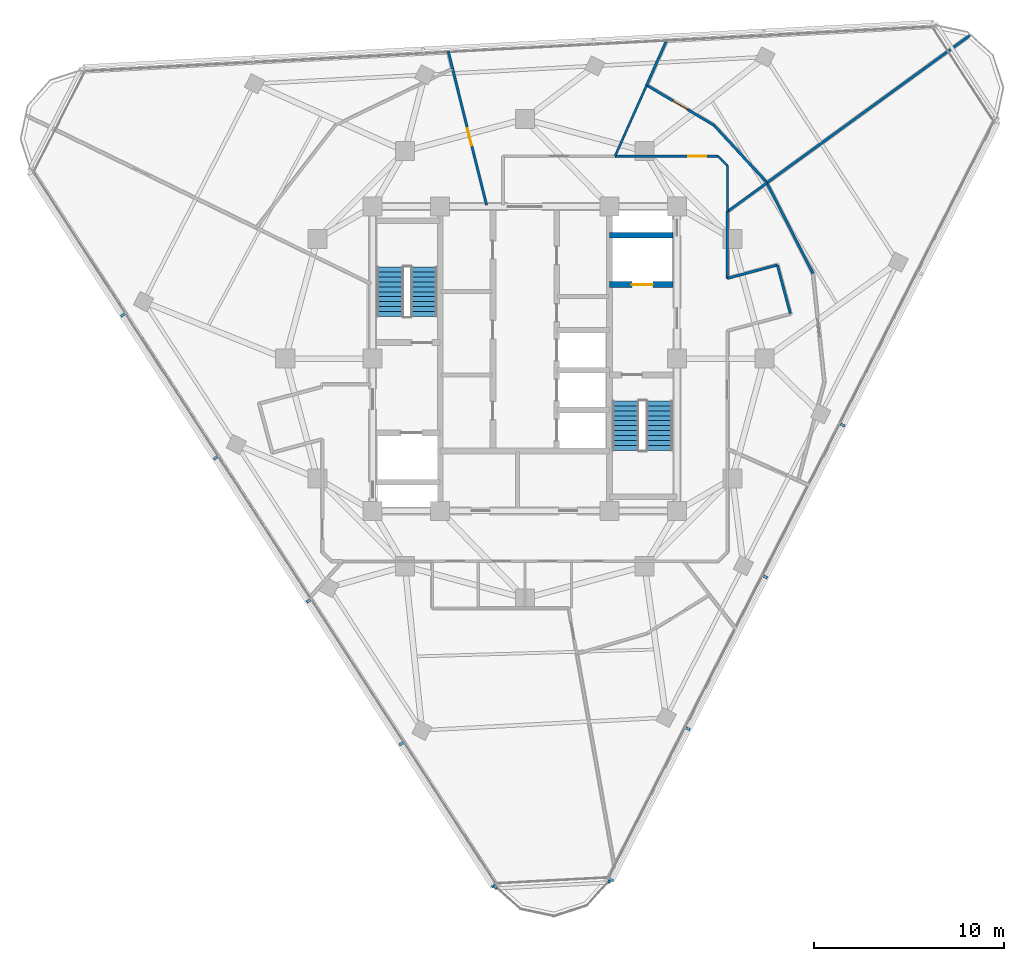
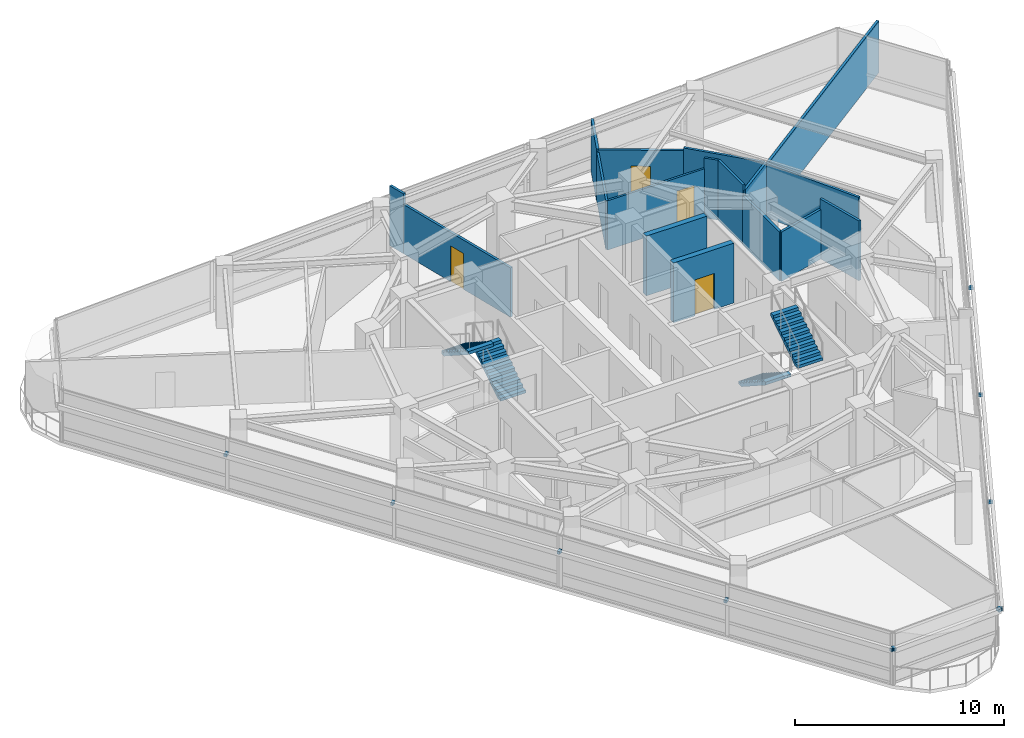
# One storey, part 10 of 15: 17 walls, 11 discrete accessories, 4 doors, 4 stair flights, 4 openings, 2 elements without a shape of their own.
"""IFC4 building model written with IfcOpenShell, lengths in metres."""

from ifc_helpers import new_model, si_unit, direction, frame, frame_2d, origin, origin_2d, place, context, subcontext, project, spatial, polyline, rectangle, outline, extrude, material, layer, layer_set, type_object, element, fill, aggregate, save


model = new_model("IFC4")

# Units and contexts
model_context = context("Model", 3, precision=1e-05, world=origin(), true_north=direction((0.0, 1.0)))
body_context = subcontext(model_context, "Body", "Model", "MODEL_VIEW")
ifc_project = project(units=[si_unit("LENGTHUNIT", "METRE"), si_unit("AREAUNIT", "SQUARE_METRE"), si_unit("VOLUMEUNIT", "CUBIC_METRE"), si_unit("PLANEANGLEUNIT", "RADIAN"), si_unit("MASSUNIT", "GRAM", prefix="KILO")], contexts=[model_context])

# Site, building, storey
site_placement = place(None, origin())
site = spatial("IfcSite", under=ifc_project, at=site_placement, CompositionType="ELEMENT")
building_placement = place(site_placement, origin())
building = spatial("IfcBuilding", under=site, at=building_placement, Name="Terralouvre Media Tower", CompositionType="ELEMENT")
storey_placement = place(building_placement, frame((0.0, 0.0, 255.89990234375)))
storey = spatial("IfcBuildingStorey", under=building, at=storey_placement, Name="L66", CompositionType="ELEMENT", Elevation=255.89990234375)

# Wall, opening, door
ifc_material_1 = material(Name="Concrete C50/60", Category="concrete")
ifc_layer_1 = layer(ifc_material_1, 0.300048828125, Name="Core Internal Shaft Wall CW-300")
ifc_layer_set_1 = layer_set([ifc_layer_1], Name="Concrete C50/60")
wall_type_1 = type_object("IfcWallType", Name="Core Internal Shaft Wall CW-300", PredefinedType="SHEAR", material=ifc_layer_set_1)
wall_1_placement = place(storey_placement, frame((4.449951171875, 3.89990234375, 0.0), z_axis=(0.0, 0.0, 1.0), x_axis=(1.0, 0.0, 0.0)))
wall_1 = element("IfcWall", 1, at=wall_1_placement, inside=storey, type_object=wall_type_1, Name="L66 Core Shaft Wall FF2S", PredefinedType="SHEAR", context=body_context, shape_type="SweptSolid", body=[
    extrude(rectangle(XDim=3.340087890625, YDim=0.300048828125, at=frame_2d((1.669921875, 0.0))), origin(), (0.0, 0.0, 1.0), 3.5),
])
opening_1_placement = place(wall_1_placement, frame((1.179931640625, 0.0, 0.0)))
opening_1 = element("IfcOpeningElement", 2, at=opening_1_placement, cuts=wall_1, Name="Opening LD-FF", PredefinedType="OPENING", context=body_context, shape_type="SweptSolid", body=[
    extrude(rectangle(XDim=1.10009765625, YDim=2.10009765625, at=frame_2d((0.550048828125, 1.050048828125))), frame((0.0, 0.159912109375, 0.0), z_axis=(0.0, -1.0, 0.0), x_axis=(1.0, 0.0, 0.0)), (0.0, 0.0, 1.0), 0.320068359375),
])
ifc_material_2 = material(Name="Stainless steel 316 handrail and balustrade", Category="steel")
door_type_1 = type_object("IfcDoorType", Name="Firefighting Lift Sliding Landing Door LD-FF", OperationType="SLIDING_TO_LEFT", PredefinedType="DOOR", material=ifc_material_2)
door_1_placement = place(opening_1_placement, origin())
door_1 = element("IfcDoor", 3, at=door_1_placement, inside=storey, type_object=door_type_1, Name="L66 Firefighting Lift FFL-02 Landing Door", OperationType="SLIDING_TO_LEFT", OverallHeight=2.10009765625, OverallWidth=1.10009765625, PredefinedType="DOOR", context=body_context, shape_type="SweptSolid", body=[
    extrude(rectangle(XDim=1.10009765625, YDim=2.10009765625, at=frame_2d((0.550048828125, 1.050048828125))), frame((0.0, 0.02490234375, 0.0), z_axis=(0.0, -1.0, 0.0), x_axis=(1.0, 0.0, 0.0)), (0.0, 0.0, 1.0), 0.050048828125),
])
fill(opening_1, door_1)

# Walls
wall_2_placement = place(storey_placement, frame((4.449951171875, 6.5, 0.0), z_axis=(0.0, 0.0, 1.0), x_axis=(1.0, 0.0, 0.0)))
element("IfcWall", 4, at=wall_2_placement, inside=storey, type_object=wall_type_1, Name="L66 Core Shaft Wall FF2N", PredefinedType="SHEAR", context=body_context, shape_type="SweptSolid", body=[
    extrude(rectangle(XDim=3.340087890625, YDim=0.300048828125, at=frame_2d((1.669921875, 0.0))), origin(), (0.0, 0.0, 1.0), 3.5),
])
ifc_material_3 = material(Name="Fire-rated gypsum board drywall partition")
ifc_layer_2 = layer(ifc_material_3, 0.135009765625, Name="Newsroom Acoustic Partition PT-135")
ifc_layer_set_2 = layer_set([ifc_layer_2], Name="Fire-rated gypsum board drywall partition")
wall_type_2 = type_object("IfcWallType", Name="Newsroom Acoustic Partition PT-135", PredefinedType="PARTITIONING", material=ifc_layer_set_2)
wall_3_placement = place(storey_placement, frame((13.9619140625, 2.368896484375, 0.0), z_axis=(0.0, 0.0, 1.0), x_axis=(-0.258413725385, 0.966034340245, 0.0)))
element("IfcWall", 5, at=wall_3_placement, inside=storey, type_object=wall_type_2, Name="L66 Interior Partition 010", PredefinedType="PARTITIONING", context=body_context, shape_type="SweptSolid", body=[
    extrude(rectangle(XDim=2.650146484375, YDim=0.135009765625, at=frame_2d((1.3251953125, 0.0))), origin(), (0.0, 0.0, 1.0), 3.5),
])
wall_4_placement = place(storey_placement, frame((13.277099609375, 4.928955078125, 0.0), z_axis=(0.0, 0.0, 1.0), x_axis=(-0.965934830229, -0.258785439601, 0.0)))
element("IfcWall", 6, at=wall_4_placement, inside=storey, type_object=wall_type_2, Name="L66 Interior Partition 011", PredefinedType="PARTITIONING", context=body_context, shape_type="SweptSolid", body=[
    extrude(rectangle(XDim=2.719970703125, YDim=0.135009765625, at=frame_2d((1.35986328125, 0.0))), origin(), (0.0, 0.0, 1.0), 2.885009765625),
])
wall_5_placement = place(storey_placement, frame((10.64990234375, 4.22509765625, 0.0), z_axis=(0.0, 0.0, 1.0), x_axis=(0.0, 1.0, 0.0)))
element("IfcWall", 7, at=wall_5_placement, inside=storey, type_object=wall_type_2, Name="L66 Interior Partition 012", PredefinedType="PARTITIONING", context=body_context, shape_type="SweptSolid", body=[
    extrude(rectangle(XDim=3.512939453125, YDim=0.135009765625, at=frame_2d((1.75634765625, 0.0))), origin(), (0.0, 0.0, 1.0), 2.885009765625),
])
wall_6_placement = place(storey_placement, frame((15.14892578125, 4.487060546875, 0.0), z_axis=(0.0, 0.0, 1.0), x_axis=(-0.453912768225, 0.891046126102, 0.0)))
element("IfcWall", 8, at=wall_6_placement, inside=storey, type_object=wall_type_2, Name="L66 Interior Partition 032", PredefinedType="PARTITIONING", context=body_context, shape_type="SweptSolid", body=[
    extrude(rectangle(XDim=5.33984375, YDim=0.135009765625, at=frame_2d((2.669921875, 0.0))), origin(), (0.0, 0.0, 1.0), 3.18505859375),
])
wall_7_placement = place(storey_placement, frame((12.72509765625, 9.2451171875, 0.0), z_axis=(0.0, 0.0, 1.0), x_axis=(-0.809135191367, -0.587622533683, 0.0)))
element("IfcWall", 9, at=wall_7_placement, inside=storey, type_object=wall_type_2, Name="L66 Interior Partition 033", PredefinedType="PARTITIONING", context=body_context, shape_type="SweptSolid", body=[
    extrude(rectangle(XDim=2.564697265625, YDim=0.135009765625, at=frame_2d((1.2822265625, 0.0))), origin(), (0.0, 0.0, 1.0), 3.18505859375),
])
wall_8_placement = place(storey_placement, frame((23.393798828125, 16.996826171875, 0.0), z_axis=(0.0, 0.0, 1.0), x_axis=(-0.80901413128, -0.587789192985, 0.0)))
element("IfcWall", 10, at=wall_8_placement, inside=storey, type_object=wall_type_2, Name="L66 Interior Partition 048", PredefinedType="PARTITIONING", context=body_context, shape_type="SweptSolid", body=[
    extrude(rectangle(XDim=13.17138671875, YDim=0.135009765625, at=frame_2d((6.585693359375, 0.0))), origin(), (0.0, 0.0, 1.0), 3.03515625),
])

# Wall, opening, door
wall_9_placement = place(storey_placement, frame((6.404052734375, 14.384033203125, 0.0), z_axis=(0.0, 0.0, 1.0), x_axis=(0.859464079119, -0.511196143085, 0.0)))
wall_9 = element("IfcWall", 11, at=wall_9_placement, inside=storey, type_object=wall_type_2, Name="L66 Interior Partition 049", PredefinedType="PARTITIONING", context=body_context, shape_type="SweptSolid", body=[
    extrude(rectangle(XDim=4.11767578125, YDim=0.135009765625, at=frame_2d((2.058837890625, 0.0))), origin(), (0.0, 0.0, 1.0), 3.03515625),
])
opening_2_placement = place(wall_9_placement, frame((1.598876953125, 0.0, 0.0)))
opening_2 = element("IfcOpeningElement", 12, at=opening_2_placement, cuts=wall_9, Name="Opening ID-03-92X210", PredefinedType="OPENING", context=body_context, shape_type="SweptSolid", body=[
    extrude(rectangle(XDim=0.919921875, YDim=2.10009765625, at=frame_2d((0.4599609375, 1.050048828125))), frame((0.0, 0.077392578125, 0.0), z_axis=(0.0, -1.0, 0.0), x_axis=(1.0, 0.0, 0.0)), (0.0, 0.0, 1.0), 0.155029296875),
])
ifc_material_4 = material(Name="Engineered hardwood acoustic timber leaf", Category="wood")
door_type_2 = type_object("IfcDoorType", Name="Accessible Restroom and Suite Door ID-03 (920x2100)", OperationType="NOTDEFINED", PredefinedType="DOOR", material=ifc_material_4)
door_2_placement = place(opening_2_placement, origin())
door_2 = element("IfcDoor", 13, at=door_2_placement, inside=storey, type_object=door_type_2, Name="L66 Publishing Production Workspace 8 Door", OperationType="SINGLE_SWING_RIGHT", OverallHeight=2.10009765625, OverallWidth=0.919921875, PredefinedType="DOOR", context=body_context, shape_type="SweptSolid", body=[
    extrude(rectangle(XDim=0.919921875, YDim=2.10009765625, at=frame_2d((0.4599609375, 1.050048828125))), frame((0.0, 0.02490234375, 0.0), z_axis=(0.0, -1.0, 0.0), x_axis=(1.0, 0.0, 0.0)), (0.0, 0.0, 1.0), 0.050048828125),
])
fill(opening_2, door_2)

# Walls
wall_10_placement = place(storey_placement, frame((9.943115234375, 12.279052734375, 0.0), z_axis=(0.0, 0.0, 1.0), x_axis=(0.678829604912, -0.734295831049, 0.0)))
element("IfcWall", 14, at=wall_10_placement, inside=storey, type_object=wall_type_2, Name="L66 Interior Partition 050", PredefinedType="PARTITIONING", context=body_context, shape_type="SweptSolid", body=[
    extrude(rectangle(XDim=4.058349609375, YDim=0.135009765625, at=frame_2d((2.029296875, 0.0))), origin(), (0.0, 0.0, 1.0), 3.18505859375),
])
wall_11_placement = place(storey_placement, frame((7.46533203125, 16.766357421875, 0.0), z_axis=(0.0, 0.0, 1.0), x_axis=(-0.406928703069, -0.913459922831, 0.0)))
element("IfcWall", 15, at=wall_11_placement, inside=storey, type_object=wall_type_2, Name="L66 Interior Partition 051", PredefinedType="PARTITIONING", context=body_context, shape_type="SweptSolid", body=[
    extrude(rectangle(XDim=2.60791015625, YDim=0.135009765625, at=frame_2d((1.303955078125, 0.0))), origin(), (0.0, 0.0, 1.0), 3.03515625),
])

# Wall, opening, door
wall_12_placement = place(storey_placement, frame((-3.800048828125, 15.241943359375, 0.0), z_axis=(0.0, 0.0, 1.0), x_axis=(0.241889603588, -0.970303777008, 0.0)))
wall_12 = element("IfcWall", 16, at=wall_12_placement, inside=storey, type_object=wall_type_2, Name="L66 Interior Partition 053", PredefinedType="PARTITIONING", context=body_context, shape_type="SweptSolid", body=[
    extrude(rectangle(XDim=7.381103515625, YDim=0.135009765625, at=frame_2d((3.6904296875, 0.0))), origin(), (0.0, 0.0, 1.0), 2.885009765625),
])
opening_3_placement = place(wall_12_placement, frame((3.230712890625, 0.0, 0.0)))
opening_3 = element("IfcOpeningElement", 17, at=opening_3_placement, cuts=wall_12, Name="Opening ID-03-92X210", PredefinedType="OPENING", context=body_context, shape_type="SweptSolid", body=[
    extrude(rectangle(XDim=0.919921875, YDim=2.10009765625, at=frame_2d((0.4599609375, 1.050048828125))), frame((0.0, 0.077392578125, 0.0), z_axis=(0.0, -1.0, 0.0), x_axis=(1.0, 0.0, 0.0)), (0.0, 0.0, 1.0), 0.155029296875),
])
door_3_placement = place(opening_3_placement, origin())
door_3 = element("IfcDoor", 18, at=door_3_placement, inside=storey, type_object=door_type_2, Name="L66 Print Proof Closet 11 Door", OperationType="SINGLE_SWING_LEFT", OverallHeight=2.10009765625, OverallWidth=0.919921875, PredefinedType="DOOR", context=body_context, shape_type="SweptSolid", body=[
    extrude(rectangle(XDim=0.919921875, YDim=2.10009765625, at=frame_2d((0.4599609375, 1.050048828125))), frame((0.0, 0.02490234375, 0.0), z_axis=(0.0, -1.0, 0.0), x_axis=(1.0, 0.0, 0.0)), (0.0, 0.0, 1.0), 0.050048828125),
])
fill(opening_3, door_3)

# Walls
wall_13_placement = place(storey_placement, frame((-4.02978515625, 16.163818359375, 0.0), z_axis=(0.0, 0.0, 1.0), x_axis=(0.241809991188, -0.970323620326, 0.0)))
element("IfcWall", 19, at=wall_13_placement, inside=storey, type_object=wall_type_2, Name="L66 Interior Partition 054", PredefinedType="PARTITIONING", context=body_context, shape_type="SweptSolid", body=[
    extrude(rectangle(XDim=0.949951171875, YDim=0.135009765625, at=frame_2d((0.47509765625, 0.0))), origin(), (0.0, 0.0, 1.0), 3.5),
])
ifc_material_5 = material(Name="Fire-rated gypsum board drywall partition")
ifc_layer_3 = layer(ifc_material_5, 0.114990234375, Name="Restroom and Pantry Partition PT-115")
ifc_layer_set_3 = layer_set([ifc_layer_3], Name="Fire-rated gypsum board drywall partition")
wall_type_3 = type_object("IfcWallType", Name="Restroom and Pantry Partition PT-115", PredefinedType="PARTITIONING", material=ifc_layer_set_3)
wall_14_placement = place(storey_placement, frame((10.64990234375, 7.738037109375, 0.0), z_axis=(0.0, 0.0, 1.0), x_axis=(0.0, 1.0, 0.0)))
element("IfcWall", 20, at=wall_14_placement, inside=storey, type_object=wall_type_3, Name="L66 Interior Partition 021", PredefinedType="PARTITIONING", context=body_context, shape_type="SweptSolid", body=[
    extrude(rectangle(XDim=2.411865234375, YDim=0.114990234375, at=frame_2d((1.2060546875, 0.0))), origin(), (0.0, 0.0, 1.0), 3.5),
])
wall_15_placement = place(storey_placement, frame((10.64990234375, 10.14990234375, 0.0), z_axis=(0.0, 0.0, 1.0), x_axis=(-0.707106781187, 0.707106781187, 0.0)))
element("IfcWall", 21, at=wall_15_placement, inside=storey, type_object=wall_type_3, Name="L66 Interior Partition 022", PredefinedType="PARTITIONING", context=body_context, shape_type="SweptSolid", body=[
    extrude(rectangle(XDim=0.70703125, YDim=0.114990234375, at=frame_2d((0.353515625, 0.0))), origin(), (0.0, 0.0, 1.0), 3.5),
])

# Wall, opening, door
wall_16_placement = place(storey_placement, frame((10.14990234375, 10.64990234375, 0.0), z_axis=(0.0, 0.0, 1.0), x_axis=(-1.0, 0.0, 0.0)))
wall_16 = element("IfcWall", 22, at=wall_16_placement, inside=storey, type_object=wall_type_3, Name="L66 Interior Partition 023", PredefinedType="PARTITIONING", context=body_context, shape_type="SweptSolid", body=[
    extrude(rectangle(XDim=5.407958984375, YDim=0.114990234375, at=frame_2d((2.7041015625, 0.0))), origin(), (0.0, 0.0, 1.0), 2.885009765625),
])
opening_4_placement = place(wall_16_placement, frame((0.606689453125, 0.0, 0.0)))
opening_4 = element("IfcOpeningElement", 23, at=opening_4_placement, cuts=wall_16, Name="Opening SD-01-95X210", PredefinedType="OPENING", context=body_context, shape_type="SweptSolid", body=[
    extrude(rectangle(XDim=0.949951171875, YDim=2.10009765625, at=frame_2d((0.47509765625, 1.050048828125))), frame((0.0, 0.0673828125, 0.0), z_axis=(0.0, -1.0, 0.0), x_axis=(1.0, 0.0, 0.0)), (0.0, 0.0, 1.0), 0.135009765625),
])
ifc_material_6 = material(Name="Anodised extruded aluminium 6063-T6", Category="aluminium")
door_type_3 = type_object("IfcDoorType", Name="Pantry Pocket Sliding Door SD-01 (950x2100)", OperationType="SLIDING_TO_LEFT", PredefinedType="DOOR", material=ifc_material_6)
door_4_placement = place(opening_4_placement, origin())
door_4 = element("IfcDoor", 24, at=door_4_placement, inside=storey, type_object=door_type_3, Name="L66 Salon Tea and Pastry Kitchen 9 Door", OperationType="SLIDING_TO_LEFT", OverallHeight=2.10009765625, OverallWidth=0.949951171875, PredefinedType="DOOR", context=body_context, shape_type="SweptSolid", body=[
    extrude(rectangle(XDim=0.949951171875, YDim=2.10009765625, at=frame_2d((0.47509765625, 1.050048828125))), frame((0.0, 0.02490234375, 0.0), z_axis=(0.0, -1.0, 0.0), x_axis=(1.0, 0.0, 0.0)), (0.0, 0.0, 1.0), 0.050048828125),
])
fill(opening_4, door_4)

# Wall
wall_17_placement = place(storey_placement, frame((6.404052734375, 14.384033203125, 0.0), z_axis=(0.0, 0.0, 1.0), x_axis=(-0.406648271104, -0.913584798258, 0.0)))
element("IfcWall", 25, at=wall_17_placement, inside=storey, type_object=wall_type_3, Name="L66 Interior Partition 052", PredefinedType="PARTITIONING", context=body_context, shape_type="SweptSolid", body=[
    extrude(rectangle(XDim=4.08740234375, YDim=0.114990234375, at=frame_2d((2.043701171875, 0.0))), origin(), (0.0, 0.0, 1.0), 2.885009765625),
])

# Stair, stair flights
ifc_material_7 = material(Name="Concrete C45/55", Category="concrete")
stair_type_1 = type_object("IfcStairType", Name="Dogleg Stair Assembly ST-01", PredefinedType="HALF_TURN_STAIR", material=ifc_material_7)
stair_1_placement = place(storey_placement, origin())
stair_1 = element("IfcStair", 26, at=stair_1_placement, inside=storey, type_object=stair_type_1, Name="L66 Core Pressurised Exit Stair ST-01", PredefinedType="HALF_TURN_STAIR")
ifc_material_8 = material(Name="Concrete C45/55", Category="concrete")
stair_flight_type = type_object("IfcStairFlightType", Name="Reinforced Concrete Stair Flight SF-RC1", PredefinedType="STRAIGHT", material=ifc_material_8)
stair_flight_1_placement = place(storey_placement, frame((-5.300048828125, 2.219970703125, 0.0), z_axis=(0.0, 0.0, 1.0), x_axis=(0.0, 1.0, 0.0)))
stair_flight_1 = element("IfcStairFlight", 27, at=stair_flight_1_placement, type_object=stair_flight_type, Name="ST-01 flight 1", NumberOfRisers=11, NumberOfTreads=10, PredefinedType="STRAIGHT", RiserHeight=0.168181818, TreadLength=0.26, context=body_context, shape_type="SweptSolid", body=[
    extrude(outline(polyline([(0.0, 0.0), (0.0, 0.168212890625), (0.260009765625, 0.168212890625), (0.260009765625, 0.33642578125), (0.52001953125, 0.33642578125), (0.52001953125, 0.504638671875), (0.780029296875, 0.504638671875), (0.780029296875, 0.672607421875), (1.0400390625, 0.672607421875), (1.0400390625, 0.8408203125), (1.300048828125, 0.8408203125), (1.300048828125, 1.009033203125), (1.56005859375, 1.009033203125), (1.56005859375, 1.17724609375), (1.820068359375, 1.17724609375), (1.820068359375, 1.345458984375), (2.080078125, 1.345458984375), (2.080078125, 1.513671875), (2.340087890625, 1.513671875), (2.340087890625, 1.681884765625), (2.60009765625, 1.681884765625), (2.60009765625, 1.85009765625), (2.60009765625, 1.503173828125), (0.27587890625, 0.0), (0.0, 0.0)])), frame((0.0, 0.699951171875, 0.0), z_axis=(0.0, -1.0, 0.0), x_axis=(1.0, 0.0, 0.0)), (0.0, 0.0, 1.0), 1.39990234375),
])
stair_flight_2_placement = place(storey_placement, frame((-7.080078125, 4.820068359375, 1.85009765625), z_axis=(0.0, 0.0, 1.0), x_axis=(0.0, -1.0, 0.0)))
stair_flight_2 = element("IfcStairFlight", 28, at=stair_flight_2_placement, type_object=stair_flight_type, Name="ST-01 flight 2", NumberOfRisers=11, NumberOfTreads=10, PredefinedType="STRAIGHT", RiserHeight=0.168181818, TreadLength=0.26, context=body_context, shape_type="SweptSolid", body=[
    extrude(outline(polyline([(0.0, 0.0), (0.0, 0.168212890625), (0.260009765625, 0.168212890625), (0.260009765625, 0.33642578125), (0.52001953125, 0.33642578125), (0.52001953125, 0.504638671875), (0.780029296875, 0.504638671875), (0.780029296875, 0.672607421875), (1.0400390625, 0.672607421875), (1.0400390625, 0.8408203125), (1.300048828125, 0.8408203125), (1.300048828125, 1.009033203125), (1.56005859375, 1.009033203125), (1.56005859375, 1.17724609375), (1.820068359375, 1.17724609375), (1.820068359375, 1.345458984375), (2.080078125, 1.345458984375), (2.080078125, 1.513671875), (2.340087890625, 1.513671875), (2.340087890625, 1.681884765625), (2.60009765625, 1.681884765625), (2.60009765625, 1.85009765625), (2.60009765625, 1.503173828125), (0.27587890625, 0.0), (0.0, 0.0)])), frame((0.0, 0.699951171875, 0.0), z_axis=(0.0, -1.0, 0.0), x_axis=(1.0, 0.0, 0.0)), (0.0, 0.0, 1.0), 1.39990234375),
])
aggregate(stair_1, [stair_flight_1, stair_flight_2])

ifc_material_9 = material(Name="Concrete C45/55", Category="concrete")
stair_type_2 = type_object("IfcStairType", Name="Dogleg Stair Assembly ST-02", PredefinedType="HALF_TURN_STAIR", material=ifc_material_9)
stair_2_placement = place(storey_placement, origin())
stair_2 = element("IfcStair", 29, at=stair_2_placement, inside=storey, type_object=stair_type_2, Name="L66 Core Pressurised Exit Stair ST-02", PredefinedType="HALF_TURN_STAIR")
stair_flight_3_placement = place(storey_placement, frame((5.300048828125, -2.219970703125, 0.0), z_axis=(0.0, 0.0, 1.0), x_axis=(0.0, -1.0, 0.0)))
stair_flight_3 = element("IfcStairFlight", 30, at=stair_flight_3_placement, type_object=stair_flight_type, Name="ST-02 flight 1", NumberOfRisers=11, NumberOfTreads=10, PredefinedType="STRAIGHT", RiserHeight=0.168181818, TreadLength=0.26, context=body_context, shape_type="SweptSolid", body=[
    extrude(outline(polyline([(0.0, 0.0), (0.0, 0.168212890625), (0.260009765625, 0.168212890625), (0.260009765625, 0.33642578125), (0.52001953125, 0.33642578125), (0.52001953125, 0.504638671875), (0.780029296875, 0.504638671875), (0.780029296875, 0.672607421875), (1.0400390625, 0.672607421875), (1.0400390625, 0.8408203125), (1.300048828125, 0.8408203125), (1.300048828125, 1.009033203125), (1.56005859375, 1.009033203125), (1.56005859375, 1.17724609375), (1.820068359375, 1.17724609375), (1.820068359375, 1.345458984375), (2.080078125, 1.345458984375), (2.080078125, 1.513671875), (2.340087890625, 1.513671875), (2.340087890625, 1.681884765625), (2.60009765625, 1.681884765625), (2.60009765625, 1.85009765625), (2.60009765625, 1.503173828125), (0.27587890625, 0.0), (0.0, 0.0)])), frame((0.0, 0.699951171875, 0.0), z_axis=(0.0, -1.0, 0.0), x_axis=(1.0, 0.0, 0.0)), (0.0, 0.0, 1.0), 1.39990234375),
])
stair_flight_4_placement = place(storey_placement, frame((7.080078125, -4.820068359375, 1.85009765625), z_axis=(0.0, 0.0, 1.0), x_axis=(0.0, 1.0, 0.0)))
stair_flight_4 = element("IfcStairFlight", 31, at=stair_flight_4_placement, type_object=stair_flight_type, Name="ST-02 flight 2", NumberOfRisers=11, NumberOfTreads=10, PredefinedType="STRAIGHT", RiserHeight=0.168181818, TreadLength=0.26, context=body_context, shape_type="SweptSolid", body=[
    extrude(outline(polyline([(0.0, 0.0), (0.0, 0.168212890625), (0.260009765625, 0.168212890625), (0.260009765625, 0.33642578125), (0.52001953125, 0.33642578125), (0.52001953125, 0.504638671875), (0.780029296875, 0.504638671875), (0.780029296875, 0.672607421875), (1.0400390625, 0.672607421875), (1.0400390625, 0.8408203125), (1.300048828125, 0.8408203125), (1.300048828125, 1.009033203125), (1.56005859375, 1.009033203125), (1.56005859375, 1.17724609375), (1.820068359375, 1.17724609375), (1.820068359375, 1.345458984375), (2.080078125, 1.345458984375), (2.080078125, 1.513671875), (2.340087890625, 1.513671875), (2.340087890625, 1.681884765625), (2.60009765625, 1.681884765625), (2.60009765625, 1.85009765625), (2.60009765625, 1.503173828125), (0.27587890625, 0.0), (0.0, 0.0)])), frame((0.0, 0.699951171875, 0.0), z_axis=(0.0, -1.0, 0.0), x_axis=(1.0, 0.0, 0.0)), (0.0, 0.0, 1.0), 1.39990234375),
])
aggregate(stair_2, [stair_flight_3, stair_flight_4])

# Discrete accessories
ifc_material_10 = material(Name="Anodised extruded aluminium 6063-T6", Category="aluminium")
discrete_accessory_type = type_object("IfcDiscreteAccessoryType", Name="Mullion Stand-Off Baguette Fixing Bracket BK-01", PredefinedType="BRACKET", material=ifc_material_10)
for number, where, z_axis, x_axis, name in (
    (32, (4.52490234375, -27.403564453125, 2.07421875), (0.0, 0.0, 1.0), (0.45399044259, 0.891006553308, 0.0), "CW-L66-F0 Baguette Outrigger Bracket 1.01"),
    (33, (8.57568359375, -19.45361328125, 2.07421875), (0.0, 0.0, 1.0), (0.45399044259, 0.891006553308, 0.0), "CW-L66-F0 Baguette Outrigger Bracket 1.02"),
    (34, (12.643310546875, -11.47021484375, 2.07421875), (0.0, 0.0, 1.0), (0.45399044259, 0.891006553308, 0.0), "CW-L66-F0 Baguette Outrigger Bracket 1.03"),
    (35, (16.711181640625, -3.48681640625, 2.07421875), (0.0, 0.0, 1.0), (0.45399044259, 0.891006553308, 0.0), "CW-L66-F0 Baguette Outrigger Bracket 1.04"),
    (36, (-21.135009765625, 2.300048828125, 2.07421875), (0.0, 0.0, 1.0), (0.544639069077, -0.838670545826, 0.0), "CW-L66-F2 Baguette Outrigger Bracket 1.02"),
    (37, (-16.255126953125, -5.21435546875, 2.07421875), (0.0, 0.0, 1.0), (0.544639069077, -0.838670545826, 0.0), "CW-L66-F2 Baguette Outrigger Bracket 1.03"),
    (38, (-11.375244140625, -12.72900390625, 2.07421875), (0.0, 0.0, 1.0), (0.544639069077, -0.838670545826, 0.0), "CW-L66-F2 Baguette Outrigger Bracket 1.04"),
    (39, (-6.4951171875, -20.243408203125, 2.07421875), (0.0, 0.0, 1.0), (0.544639069077, -0.838670545826, 0.0), "CW-L66-F2 Baguette Outrigger Bracket 1.05"),
    (40, (-1.6357421875, -27.726318359375, 2.07421875), (0.0, 0.0, 1.0), (0.544639069077, -0.838670545826, 0.0), "CW-L66-F2 Baguette Outrigger Bracket 1.06"),
    (41, (-1.543212890625, -27.754150390625, 2.07421875), (0.0, 0.0, 1.0), (0.998629533744, 0.05233597552, 0.0), "CW-L66-C0 Baguette Outrigger Bracket 1.01"),
    (42, (4.435791015625, -27.440673828125, 2.07421875), (0.0, 0.0, 1.0), (0.998629533744, 0.05233597552, 0.0), "CW-L66-C0 Baguette Outrigger Bracket 1.02"),
):
    element("IfcDiscreteAccessory", number, at=place(storey_placement, frame(where, z_axis=z_axis, x_axis=x_axis)), inside=storey, type_object=discrete_accessory_type, Name=name, PredefinedType="BRACKET", context=body_context, shape_type="SweptSolid", body=[
        extrude(rectangle(XDim=0.139892578125, YDim=0.239990234375, at=origin_2d()), origin(), (0.0, 0.0, 1.0), 0.179931640625),
    ])

save(model, "model.ifc")
